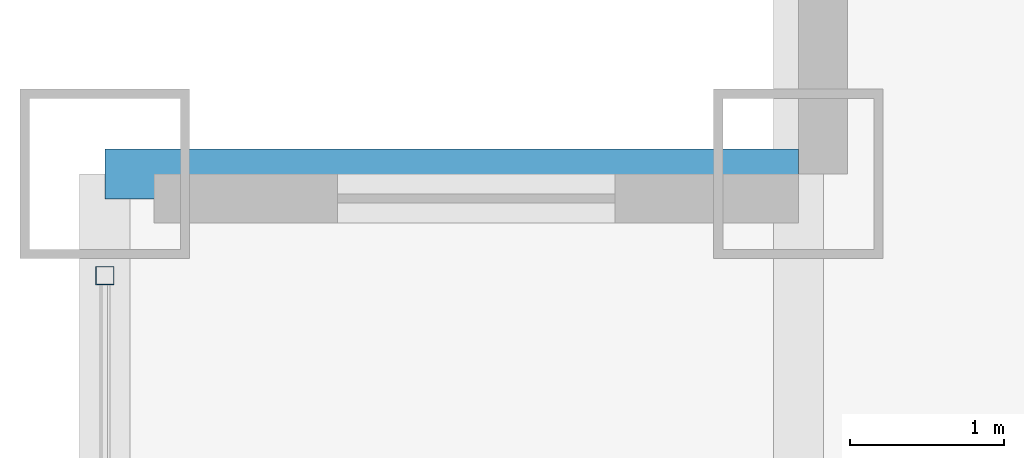
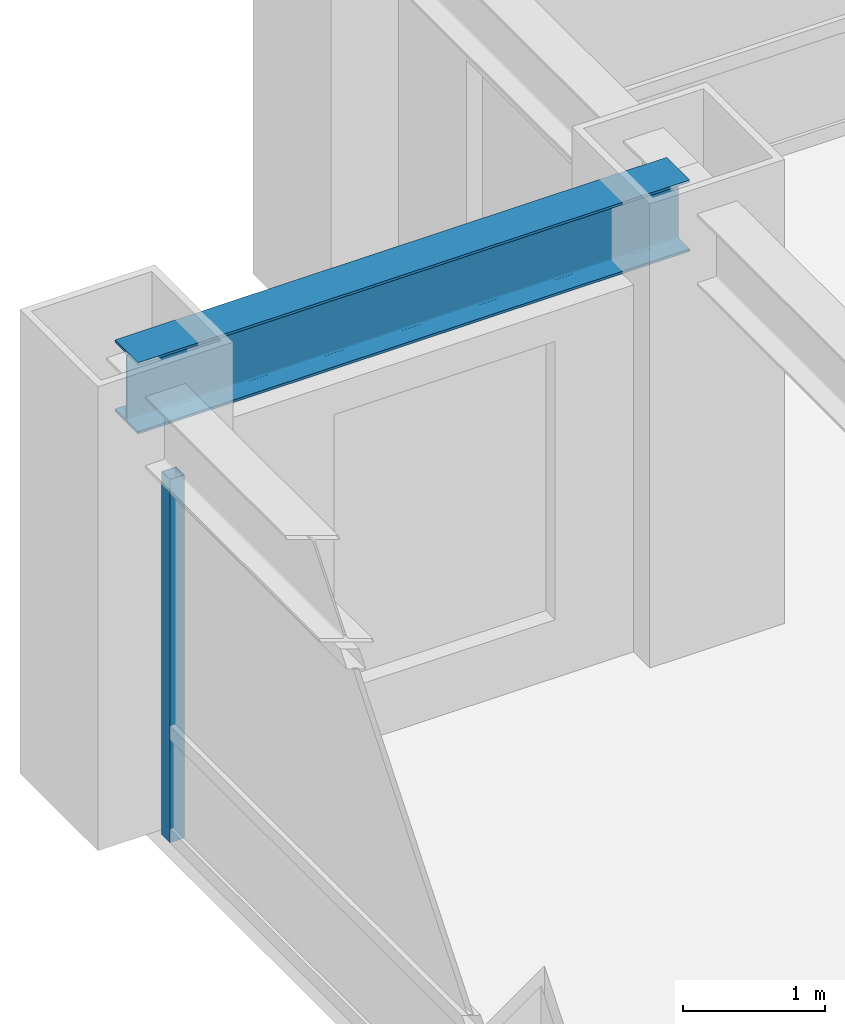
# One storey, part 12 of 24: 1 beam, 1 member, 1 element without a shape of its own.
"""IFC4 building model written with IfcOpenShell, lengths in metres."""

from ifc_helpers import new_model, si_unit, direction, frame, origin, origin_2d, place, context, subcontext, project, spatial, hollow_rectangle, i_section, extrude, source, transform, mapped, material, material_profile, profile_set, type_object, element, aggregate, save


model = new_model("IFC4")

# Units and contexts
model_context = context("Model", 3, precision=1e-05, world=origin(), true_north=direction((0.0, 1.0)))
body_context = subcontext(model_context, "Body", "Model", "MODEL_VIEW")
ifc_project = project(units=[si_unit("LENGTHUNIT", "METRE"), si_unit("AREAUNIT", "SQUARE_METRE"), si_unit("VOLUMEUNIT", "CUBIC_METRE"), si_unit("PLANEANGLEUNIT", "RADIAN"), si_unit("MASSUNIT", "GRAM", prefix="KILO")], contexts=[model_context])

# Site, building, storey
site_placement = place(None, origin())
site = spatial("IfcSite", under=ifc_project, at=site_placement, CompositionType="ELEMENT")
building_placement = place(site_placement, origin())
building = spatial("IfcBuilding", under=site, at=building_placement, Name="Khorayat Bourse Tower", CompositionType="ELEMENT")
storey_placement = place(building_placement, frame((0.0, 0.0, 203.10009765625)))
storey = spatial("IfcBuildingStorey", under=building, at=storey_placement, Name="L47", CompositionType="ELEMENT", Elevation=203.10009765625)

# Beam
ifc_material_1 = material(Name="Steel ASTM A992 Grade 50", Category="steel")
ifc_material_profile_1 = material_profile(ifc_material_1, i_section(OverallWidth=0.324951171875, OverallDepth=0.615966796875, WebThickness=0.013916015625, FlangeThickness=0.021484375, FilletRadius=0.01611328125, at=origin_2d()), Name="W610X174")
ifc_profile_set_1 = profile_set([ifc_material_profile_1], Name="Steel ASTM A992 Grade 50")
beam_type = type_object("IfcBeamType", Name="BM-SPAN-610", PredefinedType="SPANDREL", material=ifc_profile_set_1)
shared_shape_1 = source(origin(), body_context, "Body", "SweptSolid", [
    extrude(i_section(OverallWidth=0.324951171875, OverallDepth=0.615966796875, WebThickness=0.013916015625, FlangeThickness=0.021484375, FilletRadius=0.01611328125, at=origin_2d()), origin(), (0.0, 0.0, 1.0), 4.5),
])
beam_placement = place(storey_placement, frame((-30.0, 25.5, 3.471923828125), z_axis=(1.0, 0.0, 0.0), x_axis=(0.0, 1.0, 0.0)))
element("IfcBeam", 1, at=beam_placement, inside=storey, type_object=beam_type, Name="L47 BM-SPAN-610 BM-L47-SPN-053", PredefinedType="SPANDREL", context=body_context, shape_type="MappedRepresentation", body=[
    mapped(shared_shape_1, transform((0.0, 0.0, 0.0), scale=1.0)),
])

# Curtain wall, member
ifc_material_2 = material(Name="Aluminium EN AW-6063 T6", Category="aluminium")
curtain_wall_type = type_object("IfcCurtainWallType", Name="CW-SYS-03", PredefinedType="NOTDEFINED", material=ifc_material_2)
curtain_wall_placement = place(storey_placement, origin())
curtain_wall = element("IfcCurtainWall", 2, at=curtain_wall_placement, inside=storey, type_object=curtain_wall_type, Name="L47 Curtain Wall CW-L47-W1", PredefinedType="NOTDEFINED")
ifc_material_profile_2 = material_profile(ifc_material_2, hollow_rectangle(XDim=0.1201171875, YDim=0.1201171875, WallThickness=0.0048828125, at=origin_2d()), Name="ALU 120x120x5")
ifc_profile_set_2 = profile_set([ifc_material_profile_2], Name="Aluminium EN AW-6063 T6")
member_type = type_object("IfcMemberType", Name="CWM-VERT-120", PredefinedType="MULLION", material=ifc_profile_set_2)
shared_shape_2 = source(origin(), body_context, "Body", "SweptSolid", [
    extrude(hollow_rectangle(XDim=0.1201171875, YDim=0.1201171875, WallThickness=0.0048828125, at=origin_2d()), origin(), (0.0, 0.0, 1.0), 3.1298828125),
])
member_placement = place(storey_placement, frame((-30.0, 24.840087890625, 0.0), z_axis=(0.0, 0.0, 1.0), x_axis=(-1.0, 0.0, 0.0)))
member = element("IfcMember", 3, at=member_placement, type_object=member_type, Name="CW-L47-W1 Vertical Mullion 3", PredefinedType="MULLION", context=body_context, shape_type="MappedRepresentation", body=[
    mapped(shared_shape_2, transform((0.0, 0.0, 0.0), scale=1.0)),
])
aggregate(curtain_wall, [member])

save(model, "model.ifc")
